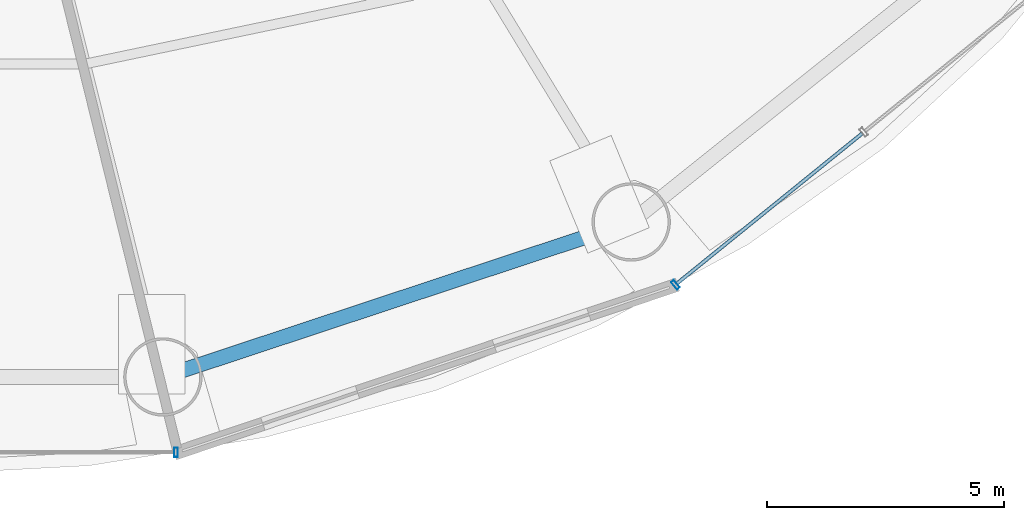
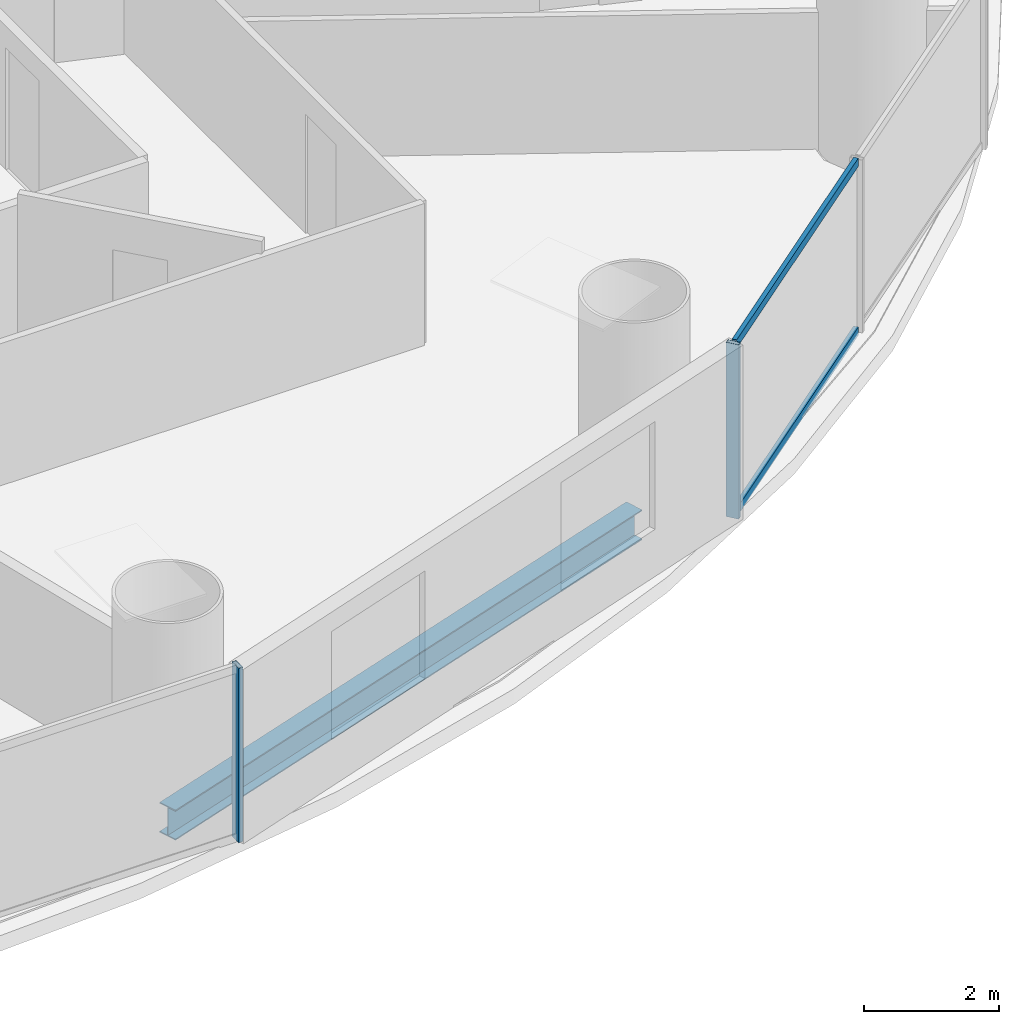
# One storey, part 10 of 29: 4 members, 1 beam, 2 elements without a shape of their own.
"""IFC4 building model written with IfcOpenShell, lengths in metres."""

from ifc_helpers import new_model, si_unit, direction, frame, origin, origin_2d, place, context, subcontext, project, spatial, hollow_rectangle, i_section, extrude, source, transform, mapped, material, material_profile, profile_set, type_object, element, aggregate, save


model = new_model("IFC4")

# Units and contexts
model_context = context("Model", 3, precision=1e-05, world=origin(), true_north=direction((-0.2419218956, 0.970295726276)))
body_context = subcontext(model_context, "Body", "Model", "MODEL_VIEW")
ifc_project = project(units=[si_unit("LENGTHUNIT", "METRE"), si_unit("AREAUNIT", "SQUARE_METRE"), si_unit("VOLUMEUNIT", "CUBIC_METRE"), si_unit("PLANEANGLEUNIT", "RADIAN"), si_unit("MASSUNIT", "GRAM", prefix="KILO")], contexts=[model_context])

# Site, building, storey
site_placement = place(None, origin())
site = spatial("IfcSite", under=ifc_project, at=site_placement, CompositionType="ELEMENT")
building_placement = place(site_placement, origin())
building = spatial("IfcBuilding", under=site, at=building_placement, Name="Cobrevalo Terracotta Tower", CompositionType="ELEMENT")
storey_placement = place(building_placement, frame((0.0, 0.0, 70.800048828125)))
storey = spatial("IfcBuildingStorey", under=building, at=storey_placement, Name="L18", CompositionType="ELEMENT", Elevation=70.800048828125)

# Beam
ifc_material_1 = material(Name="Steel S355", Category="steel")
ifc_material_profile_1 = material_profile(ifc_material_1, i_section(OverallWidth=0.31201171875, OverallDepth=0.54296875, WebThickness=0.0126953125, FlangeThickness=0.020263671875, at=origin_2d()), Name="W 530x150")
ifc_profile_set_1 = profile_set([ifc_material_profile_1], Name="Steel S355")
beam_type = type_object("IfcBeamType", Name="Structural Spandrel W 530x150 (Steel S355)", PredefinedType="SPANDREL", material=ifc_profile_set_1)
beam_placement = place(storey_placement, frame((43.335693359375, 5.369873046875, -0.551513671875), z_axis=(0.949372202648, 0.314153498848, 0.0), x_axis=(-0.314153498848, 0.949372202648, 0.0)))
element("IfcBeam", 1, at=beam_placement, inside=storey, type_object=beam_type, Name="L18 perimeter ring spandrel 13", PredefinedType="SPANDREL", context=body_context, shape_type="SweptSolid", body=[
    extrude(i_section(OverallWidth=0.31201171875, OverallDepth=0.54296875, WebThickness=0.0126953125, FlangeThickness=0.020263671875, at=origin_2d()), origin(), (0.0, 0.0, 1.0), 10.385009765625),
])

# Curtain wall, members
ifc_material_2 = material(Name="Anodized aluminium", Category="aluminium")
curtain_wall_type = type_object("IfcCurtainWallType", Name="Lower-tower unitised acoustic low-E curtain wall CW-U1", PredefinedType="NOTDEFINED", material=ifc_material_2)
curtain_wall_1_placement = place(storey_placement, origin())
curtain_wall_1 = element("IfcCurtainWall", 2, at=curtain_wall_1_placement, inside=storey, type_object=curtain_wall_type, Name="L18 curtain wall CW-L18-S14", PredefinedType="NOTDEFINED")
ifc_material_profile_2 = material_profile(ifc_material_2, hollow_rectangle(XDim=0.074951171875, YDim=0.14990234375, WallThickness=0.00439453125, at=origin_2d()), Name="CWT 75x150")
ifc_profile_set_2 = profile_set([ifc_material_profile_2], Name="Anodized aluminium")
member_type_1 = type_object("IfcMemberType", Name="Tower unitised aluminium transom 75x150", PredefinedType="USERDEFINED", material=ifc_profile_set_2)
shared_shape_1 = source(origin(), body_context, "Body", "SweptSolid", [
    extrude(hollow_rectangle(XDim=0.074951171875, YDim=0.14990234375, WallThickness=0.00439453125, at=origin_2d()), origin(), (0.0, 0.0, 1.0), 5.0234375),
])
member_1_placement = place(storey_placement, frame((54.156982421875, 7.335693359375, 0.050048828125), z_axis=(0.777022991593, 0.629472215857, 0.0), x_axis=(-0.629472215857, 0.777022991593, 0.0)))
member_1 = element("IfcMember", 3, at=member_1_placement, type_object=member_type_1, Name="CW-L18-S14 transom B01-T1", ObjectType="TRANSOM", PredefinedType="USERDEFINED", context=body_context, shape_type="MappedRepresentation", body=[
    mapped(shared_shape_1, transform((0.0, 0.0, 0.0), scale=1.0)),
])
member_2_placement = place(storey_placement, frame((54.156982421875, 7.335693359375, 3.099853515625), z_axis=(0.777022991593, 0.629472215857, 0.0), x_axis=(-0.629472215857, 0.777022991593, 0.0)))
member_2 = element("IfcMember", 4, at=member_2_placement, type_object=member_type_1, Name="CW-L18-S14 transom B01-T2", ObjectType="TRANSOM", PredefinedType="USERDEFINED", context=body_context, shape_type="MappedRepresentation", body=[
    mapped(shared_shape_1, transform((0.0, 0.0, 0.0), scale=1.0)),
])

# Curtain wall, member
curtain_wall_2_placement = place(storey_placement, origin())
curtain_wall_2 = element("IfcCurtainWall", 5, at=curtain_wall_2_placement, inside=storey, type_object=curtain_wall_type, Name="L18 curtain wall CW-L18-S12", PredefinedType="NOTDEFINED")
ifc_material_profile_3 = material_profile(ifc_material_2, hollow_rectangle(XDim=0.074951171875, YDim=0.199951171875, WallThickness=0.0048828125, at=origin_2d()), Name="CWM 75x200")
ifc_profile_set_3 = profile_set([ifc_material_profile_3], Name="Anodized aluminium")
member_type_2 = type_object("IfcMemberType", Name="Lower/mid tower unitised mullion 75x200", PredefinedType="MULLION", material=ifc_profile_set_3)
shared_shape_2 = source(origin(), body_context, "Body", "SweptSolid", [
    extrude(hollow_rectangle(XDim=0.074951171875, YDim=0.199951171875, WallThickness=0.0048828125, at=origin_2d()), origin(), (0.0, 0.0, 1.0), 3.14990234375),
])
member_3_placement = place(storey_placement, frame((43.61181640625, 3.781005859375, 0.0), z_axis=(0.0, 0.0, 1.0), x_axis=(1.0, 0.0, 0.0)))
member_3 = element("IfcMember", 6, at=member_3_placement, type_object=member_type_2, Name="CW-L18-S12 vertical mullion 03", PredefinedType="MULLION", context=body_context, shape_type="MappedRepresentation", body=[
    mapped(shared_shape_2, transform((0.0, 0.0, 0.0), scale=1.0)),
])
aggregate(curtain_wall_2, [member_3])

# Member
member_4_placement = place(storey_placement, frame((54.1259765625, 7.310546875, 0.0), z_axis=(0.0, 0.0, 1.0), x_axis=(0.777003153187, 0.629496703675, 0.0)))
member_4 = element("IfcMember", 7, at=member_4_placement, type_object=member_type_2, Name="CW-L18-S14 vertical mullion 01", PredefinedType="MULLION", context=body_context, shape_type="MappedRepresentation", body=[
    mapped(shared_shape_2, transform((0.0, 0.0, 0.0), scale=1.0)),
])

aggregate(curtain_wall_1, [member_4, member_1, member_2])

save(model, "model.ifc")
